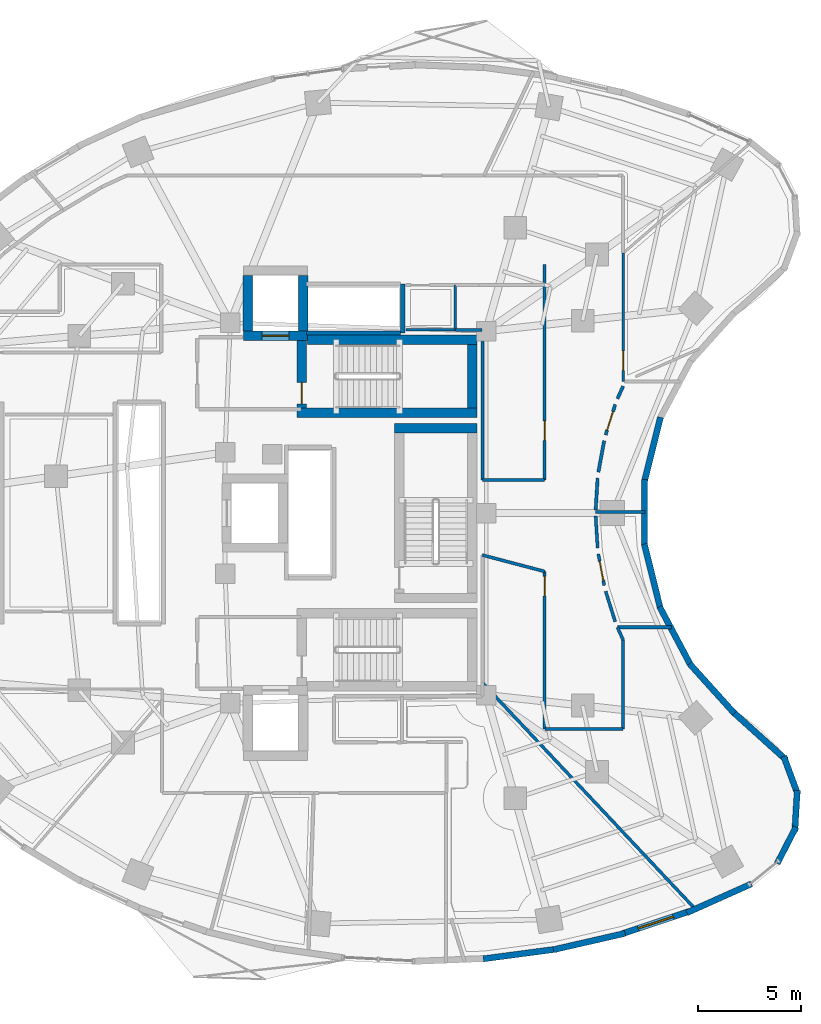
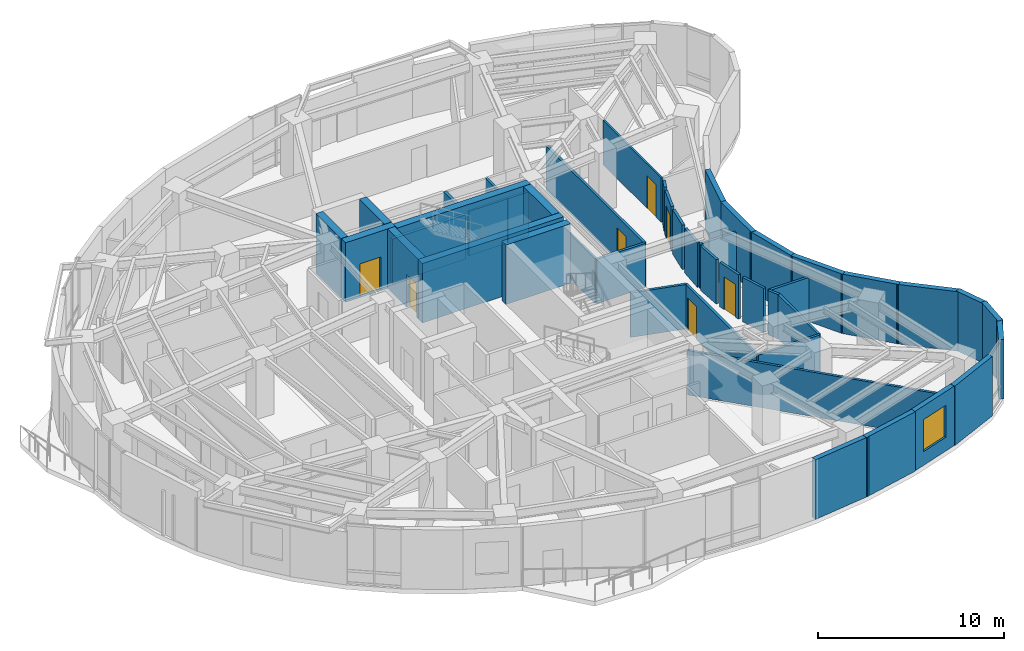
# One storey, part 10 of 15: 45 walls, 7 doors, 1 window, 8 openings.
"""IFC4 building model written with IfcOpenShell, lengths in metres."""

from ifc_helpers import new_model, si_unit, direction, frame, frame_2d, origin, place, context, subcontext, project, spatial, rectangle, extrude, material, layer, layer_set, type_object, element, fill, save


model = new_model("IFC4")

# Units and contexts
model_context = context("Model", 3, precision=1e-05, world=origin(), true_north=direction((0.0, 1.0)))
body_context = subcontext(model_context, "Body", "Model", "MODEL_VIEW")
ifc_project = project(units=[si_unit("LENGTHUNIT", "METRE"), si_unit("AREAUNIT", "SQUARE_METRE"), si_unit("VOLUMEUNIT", "CUBIC_METRE"), si_unit("PLANEANGLEUNIT", "RADIAN"), si_unit("MASSUNIT", "GRAM", prefix="KILO")], contexts=[model_context])

# Site, building, storey
site_placement = place(None, origin())
site = spatial("IfcSite", under=ifc_project, at=site_placement, CompositionType="ELEMENT")
building_placement = place(site_placement, origin())
building = spatial("IfcBuilding", under=site, at=building_placement, Name="Korentha Bioscience Tower", CompositionType="ELEMENT")
storey_placement = place(building_placement, frame((0.0, 0.0, 111.0)))
storey = spatial("IfcBuildingStorey", under=building, at=storey_placement, Name="L25", CompositionType="ELEMENT", Elevation=111.0)

# Wall, opening, door
ifc_material_1 = material(Name="Double-Stud Acoustic Gypsum", Category="gypsum")
ifc_layer_1 = layer(ifc_material_1, 0.14990234375, Name="Double-Stud Acoustic Gypsum")
ifc_layer_set_1 = layer_set([ifc_layer_1], Name="Double-Stud Acoustic Gypsum (IW-L150)")
wall_type_1 = type_object("IfcWallType", Name="Acoustic Laboratory Partition Wall 150", PredefinedType="PARTITIONING", material=ifc_layer_set_1)
wall_1_placement = place(storey_placement, frame((40.389892578125, 24.16064453125, 0.0), z_axis=(0.0, 0.0, 1.0), x_axis=(0.0, -1.0, 0.0)))
wall_1 = element("IfcWall", 1, at=wall_1_placement, inside=storey, type_object=wall_type_1, Name="L25 Mass-Spectrometry Analytical Suite 06 Entrance Wall", PredefinedType="PARTITIONING", context=body_context, shape_type="SweptSolid", body=[
    extrude(rectangle(XDim=7.66064453125, YDim=0.14990234375, at=frame_2d((3.830322265625, 0.0))), origin(), (0.0, 0.0, 1.0), 2.909912109375),
])
opening_1_placement = place(wall_1_placement, frame((0.239990234375, 0.0, 0.0)))
opening_1 = element("IfcOpeningElement", 2, at=opening_1_placement, cuts=wall_1, Name="Opening ID-10L", PredefinedType="OPENING", context=body_context, shape_type="SweptSolid", body=[
    extrude(rectangle(XDim=0.949951171875, YDim=2.14990234375, at=frame_2d((0.47509765625, 1.074951171875))), frame((0.0, 0.08984375, 0.0), z_axis=(0.0, -1.0, 0.0), x_axis=(1.0, 0.0, 0.0)), (0.0, 0.0, 1.0), 0.1796875),
])
ifc_material_2 = material(Name="Phenolic Laminate Timber Core", Category="wood")
door_type_1 = type_object("IfcDoorType", Name="Laboratory Single Leaf Door 950x2150 Left", OperationType="SINGLE_SWING_LEFT", PredefinedType="DOOR", material=ifc_material_2)
door_1_placement = place(opening_1_placement, origin())
door_1 = element("IfcDoor", 3, at=door_1_placement, inside=storey, type_object=door_type_1, Name="L25 Mass-Spectrometry Analytical Suite 06 Door", OperationType="SINGLE_SWING_LEFT", OverallHeight=2.14990234375, OverallWidth=0.949951171875, PredefinedType="DOOR", context=body_context, shape_type="SweptSolid", body=[
    extrude(rectangle(XDim=0.949951171875, YDim=2.14990234375, at=frame_2d((0.47509765625, 1.074951171875))), frame((0.0, 0.02490234375, 0.0), z_axis=(0.0, -1.0, 0.0), x_axis=(1.0, 0.0, 0.0)), (0.0, 0.0, 1.0), 0.050048828125),
])
fill(opening_1, door_1)

wall_2_placement = place(storey_placement, frame((43.285888671875, 23.484619140625, 0.0), z_axis=(0.0, 0.0, 1.0), x_axis=(-0.182168192784, 0.983267384559, 0.0)))
wall_2 = element("IfcWall", 4, at=wall_2_placement, inside=storey, type_object=wall_type_1, Name="L25 HPLC Chromatography Room 07 Entrance Wall", PredefinedType="PARTITIONING", context=body_context, shape_type="SweptSolid", body=[
    extrude(rectangle(XDim=1.550537109375, YDim=0.14990234375, at=frame_2d((0.775390625, 0.0))), origin(), (0.0, 0.0, 1.0), 2.909912109375),
])
opening_2_placement = place(wall_2_placement, frame((0.239990234375, 0.0, 0.0)))
opening_2 = element("IfcOpeningElement", 5, at=opening_2_placement, cuts=wall_2, Name="Opening ID-10R", PredefinedType="OPENING", context=body_context, shape_type="SweptSolid", body=[
    extrude(rectangle(XDim=0.949951171875, YDim=2.14990234375, at=frame_2d((0.47509765625, 1.074951171875))), frame((0.0, 0.08984375, 0.0), z_axis=(0.0, -1.0, 0.0), x_axis=(1.0, 0.0, 0.0)), (0.0, 0.0, 1.0), 0.1796875),
])
door_type_2 = type_object("IfcDoorType", Name="Laboratory Single Leaf Door 950x2150 Right", OperationType="SINGLE_SWING_RIGHT", PredefinedType="DOOR", material=ifc_material_2)
door_2_placement = place(opening_2_placement, origin())
door_2 = element("IfcDoor", 6, at=door_2_placement, inside=storey, type_object=door_type_2, Name="L25 HPLC Chromatography Room 07 Door", OperationType="SINGLE_SWING_RIGHT", OverallHeight=2.14990234375, OverallWidth=0.949951171875, PredefinedType="DOOR", context=body_context, shape_type="SweptSolid", body=[
    extrude(rectangle(XDim=0.949951171875, YDim=2.14990234375, at=frame_2d((0.47509765625, 1.074951171875))), frame((0.0, 0.02490234375, 0.0), z_axis=(0.0, -1.0, 0.0), x_axis=(1.0, 0.0, 0.0)), (0.0, 0.0, 1.0), 0.050048828125),
])
fill(opening_2, door_2)

wall_3_placement = place(storey_placement, frame((40.389892578125, 39.090087890625, 0.0), z_axis=(0.0, 0.0, 1.0), x_axis=(0.0, -1.0, 0.0)))
wall_3 = element("IfcWall", 7, at=wall_3_placement, inside=storey, type_object=wall_type_1, Name="L25 Postdoctoral Fellows' Quiet Study 10 Entrance Wall", PredefinedType="PARTITIONING", context=body_context, shape_type="SweptSolid", body=[
    extrude(rectangle(XDim=10.47998046875, YDim=0.14990234375, at=frame_2d((5.239990234375, 0.0))), origin(), (0.0, 0.0, 1.0), 2.909912109375),
])
opening_3_placement = place(wall_3_placement, frame((7.603759765625, 0.0, 0.0)))
opening_3 = element("IfcOpeningElement", 8, at=opening_3_placement, cuts=wall_3, Name="Opening ID-10L", PredefinedType="OPENING", context=body_context, shape_type="SweptSolid", body=[
    extrude(rectangle(XDim=0.949951171875, YDim=2.14990234375, at=frame_2d((0.47509765625, 1.074951171875))), frame((0.0, 0.08984375, 0.0), z_axis=(0.0, -1.0, 0.0), x_axis=(1.0, 0.0, 0.0)), (0.0, 0.0, 1.0), 0.1796875),
])
door_3_placement = place(opening_3_placement, origin())
door_3 = element("IfcDoor", 9, at=door_3_placement, inside=storey, type_object=door_type_1, Name="L25 Postdoctoral Fellows' Quiet Study 10 Door", OperationType="SINGLE_SWING_LEFT", OverallHeight=2.14990234375, OverallWidth=0.949951171875, PredefinedType="DOOR", context=body_context, shape_type="SweptSolid", body=[
    extrude(rectangle(XDim=0.949951171875, YDim=2.14990234375, at=frame_2d((0.47509765625, 1.074951171875))), frame((0.0, 0.02490234375, 0.0), z_axis=(0.0, -1.0, 0.0), x_axis=(1.0, 0.0, 0.0)), (0.0, 0.0, 1.0), 0.050048828125),
])
fill(opening_3, door_3)

# Walls
wall_4_placement = place(storey_placement, frame((37.360107421875, 18.754150390625, 0.0), z_axis=(0.0, 0.0, 1.0), x_axis=(0.685084120628, -0.72846396456, 0.0)))
element("IfcWall", 10, at=wall_4_placement, inside=storey, type_object=wall_type_1, Name="L25 Interior Partition 041", PredefinedType="PARTITIONING", context=body_context, shape_type="SweptSolid", body=[
    extrude(rectangle(XDim=15.229248046875, YDim=0.14990234375, at=frame_2d((7.61474609375, 0.0))), origin(), (0.0, 0.0, 1.0), 2.909912109375),
])
wall_5_placement = place(storey_placement, frame((40.39990234375, 16.489990234375, 0.0), z_axis=(0.0, 0.0, 1.0), x_axis=(1.0, 0.0, 0.0)))
element("IfcWall", 11, at=wall_5_placement, inside=storey, type_object=wall_type_1, Name="L25 Interior Partition 042", PredefinedType="PARTITIONING", context=body_context, shape_type="SweptSolid", body=[
    extrude(rectangle(XDim=3.800048828125, YDim=0.14990234375, at=frame_2d((1.89990234375, 0.0))), origin(), (0.0, 0.0, 1.0), 2.909912109375),
])
wall_6_placement = place(storey_placement, frame((44.2099609375, 16.5, 0.0), z_axis=(0.0, 0.0, 1.0), x_axis=(0.0, 1.0, 0.0)))
element("IfcWall", 12, at=wall_6_placement, inside=storey, type_object=wall_type_1, Name="L25 Interior Partition 043", PredefinedType="PARTITIONING", context=body_context, shape_type="SweptSolid", body=[
    extrude(rectangle(XDim=4.324951171875, YDim=0.14990234375, at=frame_2d((2.16259765625, 0.0))), origin(), (0.0, 0.0, 1.0), 2.909912109375),
])
wall_7_placement = place(storey_placement, frame((44.208984375, 20.8291015625, 0.0), z_axis=(0.0, 0.0, 1.0), x_axis=(-0.414377467152, 0.910105111905, 0.0)))
element("IfcWall", 13, at=wall_7_placement, inside=storey, type_object=wall_type_1, Name="L25 Interior Partition 044", PredefinedType="PARTITIONING", context=body_context, shape_type="SweptSolid", body=[
    extrude(rectangle(XDim=0.67236328125, YDim=0.14990234375, at=frame_2d((0.336181640625, 0.0))), origin(), (0.0, 0.0, 1.0), 2.909912109375),
])
wall_8_placement = place(storey_placement, frame((43.927490234375, 21.447998046875, 0.0), z_axis=(0.0, 0.0, 1.0), x_axis=(1.0, 0.0, 0.0)))
element("IfcWall", 14, at=wall_8_placement, inside=storey, type_object=wall_type_1, Name="L25 Interior Partition 045", PredefinedType="PARTITIONING", context=body_context, shape_type="SweptSolid", body=[
    extrude(rectangle(XDim=2.621337890625, YDim=0.14990234375, at=frame_2d((1.310546875, 0.0))), origin(), (0.0, 0.0, 1.0), 2.909912109375),
])
wall_9_placement = place(storey_placement, frame((37.360107421875, 24.9580078125, 0.0), z_axis=(0.0, 0.0, 1.0), x_axis=(0.967070499487, -0.254508642331, 0.0)))
element("IfcWall", 15, at=wall_9_placement, inside=storey, type_object=wall_type_1, Name="L25 Interior Partition 047", PredefinedType="PARTITIONING", context=body_context, shape_type="SweptSolid", body=[
    extrude(rectangle(XDim=3.133056640625, YDim=0.14990234375, at=frame_2d((1.56640625, 0.0))), origin(), (0.0, 0.0, 1.0), 2.909912109375),
])
for number, where, z_axis, x_axis, name in (
    (16, (43.823974609375, 21.718017578125, 0.0), (0.0, 0.0, 1.0), (-0.300641414783, 0.953737248783, 0.0), "L25 Interior Partition 048"),
    (17, (42.96728515625, 25.303955078125, 0.0), (0.0, 0.0, 1.0), (-0.061103659378, 0.99813142562, 0.0), "L25 Interior Partition 049"),
):
    element("IfcWall", number, at=place(storey_placement, frame(where, z_axis=z_axis, x_axis=x_axis)), inside=storey, type_object=wall_type_1, Name=name, PredefinedType="PARTITIONING", context=body_context, shape_type="SweptSolid", body=[
        extrude(rectangle(XDim=1.55029296875, YDim=0.14990234375, at=frame_2d((0.775146484375, 0.0))), origin(), (0.0, 0.0, 1.0), 2.909912109375),
    ])
wall_10_placement = place(storey_placement, frame((42.869384765625, 27.048095703125, 0.0), z_axis=(0.0, 0.0, 1.0), x_axis=(1.0, 0.0, 0.0)))
element("IfcWall", 18, at=wall_10_placement, inside=storey, type_object=wall_type_1, Name="L25 Interior Partition 050", PredefinedType="PARTITIONING", context=body_context, shape_type="SweptSolid", body=[
    extrude(rectangle(XDim=2.4111328125, YDim=0.14990234375, at=frame_2d((1.20556640625, 0.0))), origin(), (0.0, 0.0, 1.0), 2.909912109375),
])
wall_11_placement = place(storey_placement, frame((40.389892578125, 28.610107421875, 0.0), z_axis=(0.0, 0.0, 1.0), x_axis=(-1.0, 0.0, 0.0)))
element("IfcWall", 19, at=wall_11_placement, inside=storey, type_object=wall_type_1, Name="L25 Interior Partition 060", PredefinedType="PARTITIONING", context=body_context, shape_type="SweptSolid", body=[
    extrude(rectangle(XDim=3.02978515625, YDim=0.14990234375, at=frame_2d((1.514892578125, 0.0))), origin(), (0.0, 0.0, 1.0), 2.909912109375),
])
wall_12_placement = place(storey_placement, frame((37.360107421875, 28.610107421875, 0.0), z_axis=(0.0, 0.0, 1.0), x_axis=(0.0, 1.0, 0.0)))
element("IfcWall", 20, at=wall_12_placement, inside=storey, type_object=wall_type_1, Name="L25 Interior Partition 061", PredefinedType="PARTITIONING", context=body_context, shape_type="SweptSolid", body=[
    extrude(rectangle(XDim=7.289794921875, YDim=0.14990234375, at=frame_2d((3.64501953125, 0.0))), origin(), (0.0, 0.0, 1.0), 2.909912109375),
])
wall_13_placement = place(storey_placement, frame((37.35009765625, 35.909912109375, 0.0), z_axis=(0.0, 0.0, 1.0), x_axis=(-1.0, 0.0, 0.0)))
element("IfcWall", 21, at=wall_13_placement, inside=storey, type_object=wall_type_1, Name="L25 Interior Partition 062", PredefinedType="PARTITIONING", context=body_context, shape_type="SweptSolid", body=[
    extrude(rectangle(XDim=1.2900390625, YDim=0.14990234375, at=frame_2d((0.64501953125, 0.0))), origin(), (0.0, 0.0, 1.0), 2.909912109375),
])

# Wall, opening, door
ifc_material_3 = material(Name="Fire-Rated Framed Glass", Category="glass")
ifc_layer_2 = layer(ifc_material_3, 0.110107421875, Name="Fire-Rated Framed Glass")
ifc_layer_set_2 = layer_set([ifc_layer_2], Name="Fire-Rated Framed Glass (IW-G110)")
wall_type_2 = type_object("IfcWallType", Name="Demountable Glazed Office Partition 110", PredefinedType="MOVABLE", material=ifc_layer_set_2)
wall_14_placement = place(storey_placement, frame((44.2099609375, 33.402099609375, 0.0), z_axis=(0.0, 0.0, 1.0), x_axis=(0.0, 1.0, 0.0)))
wall_14 = element("IfcWall", 22, at=wall_14_placement, inside=storey, type_object=wall_type_2, Name="L25 Computational Biology Open Studio 09 Entrance Wall", PredefinedType="MOVABLE", context=body_context, shape_type="SweptSolid", body=[
    extrude(rectangle(XDim=6.23779296875, YDim=0.110107421875, at=frame_2d((3.118896484375, 0.0))), origin(), (0.0, 0.0, 1.0), 2.909912109375),
])
opening_4_placement = place(wall_14_placement, frame((0.54248046875, 0.0, 0.0)))
opening_4 = element("IfcOpeningElement", 23, at=opening_4_placement, cuts=wall_14, Name="Opening ID-10R", PredefinedType="OPENING", context=body_context, shape_type="SweptSolid", body=[
    extrude(rectangle(XDim=0.949951171875, YDim=2.14990234375, at=frame_2d((0.47509765625, 1.074951171875))), frame((0.0, 0.06982421875, 0.0), z_axis=(0.0, -1.0, 0.0), x_axis=(1.0, 0.0, 0.0)), (0.0, 0.0, 1.0), 0.139892578125),
])
door_4_placement = place(opening_4_placement, origin())
door_4 = element("IfcDoor", 24, at=door_4_placement, inside=storey, type_object=door_type_2, Name="L25 Computational Biology Open Studio 09 Door", OperationType="SINGLE_SWING_RIGHT", OverallHeight=2.14990234375, OverallWidth=0.949951171875, PredefinedType="DOOR", context=body_context, shape_type="SweptSolid", body=[
    extrude(rectangle(XDim=0.949951171875, YDim=2.14990234375, at=frame_2d((0.47509765625, 1.074951171875))), frame((0.0, 0.02490234375, 0.0), z_axis=(0.0, -1.0, 0.0), x_axis=(1.0, 0.0, 0.0)), (0.0, 0.0, 1.0), 0.050048828125),
])
fill(opening_4, door_4)

ifc_material_4 = material(Name="Gypsum-Clad Steel Stud", Category="steel")
ifc_layer_3 = layer(ifc_material_4, 0.159912109375, Name="Gypsum-Clad Steel Stud")
ifc_layer_set_3 = layer_set([ifc_layer_3], Name="Gypsum-Clad Steel Stud (IW-C160)")
wall_type_3 = type_object("IfcWallType", Name="Fire-Rated Corridor Partition Wall 160", PredefinedType="PARTITIONING", material=ifc_layer_set_3)
wall_15_placement = place(storey_placement, frame((43.35791015625, 30.803466796875, 0.0), z_axis=(0.0, 0.0, 1.0), x_axis=(0.300641414783, 0.953737248783, 0.0)))
wall_15 = element("IfcWall", 25, at=wall_15_placement, inside=storey, type_object=wall_type_3, Name="L25 Solvent and Chemical Weighing Room 08 Entrance Wall", PredefinedType="PARTITIONING", context=body_context, shape_type="SweptSolid", body=[
    extrude(rectangle(XDim=1.55029296875, YDim=0.159912109375, at=frame_2d((0.775146484375, 0.0))), origin(), (0.0, 0.0, 1.0), 2.909912109375),
])
opening_5_placement = place(wall_15_placement, frame((0.239990234375, 0.0, 0.0)))
opening_5 = element("IfcOpeningElement", 26, at=opening_5_placement, cuts=wall_15, Name="Opening ID-10L", PredefinedType="OPENING", context=body_context, shape_type="SweptSolid", body=[
    extrude(rectangle(XDim=0.949951171875, YDim=2.14990234375, at=frame_2d((0.47509765625, 1.074951171875))), frame((0.0, 0.0947265625, 0.0), z_axis=(0.0, -1.0, 0.0), x_axis=(1.0, 0.0, 0.0)), (0.0, 0.0, 1.0), 0.189697265625),
])
door_5_placement = place(opening_5_placement, origin())
door_5 = element("IfcDoor", 27, at=door_5_placement, inside=storey, type_object=door_type_1, Name="L25 Solvent and Chemical Weighing Room 08 Door", OperationType="SINGLE_SWING_LEFT", OverallHeight=2.14990234375, OverallWidth=0.949951171875, PredefinedType="DOOR", context=body_context, shape_type="SweptSolid", body=[
    extrude(rectangle(XDim=0.949951171875, YDim=2.14990234375, at=frame_2d((0.47509765625, 1.074951171875))), frame((0.0, 0.02490234375, 0.0), z_axis=(0.0, -1.0, 0.0), x_axis=(1.0, 0.0, 0.0)), (0.0, 0.0, 1.0), 0.050048828125),
])
fill(opening_5, door_5)

# Walls
wall_16_placement = place(storey_placement, frame((42.87255859375, 27.148681640625, 0.0), z_axis=(0.0, 0.0, 1.0), x_axis=(0.061103659378, 0.99813142562, 0.0)))
element("IfcWall", 28, at=wall_16_placement, inside=storey, type_object=wall_type_3, Name="L25 Interior Partition 051", PredefinedType="PARTITIONING", context=body_context, shape_type="SweptSolid", body=[
    extrude(rectangle(XDim=1.55029296875, YDim=0.159912109375, at=frame_2d((0.775146484375, 0.0))), origin(), (0.0, 0.0, 1.0), 2.909912109375),
])
wall_17_placement = place(storey_placement, frame((43.00341796875, 28.99072265625, 0.0), z_axis=(0.0, 0.0, 1.0), x_axis=(0.182168192784, 0.983267384559, 0.0)))
element("IfcWall", 29, at=wall_17_placement, inside=storey, type_object=wall_type_3, Name="L25 Interior Partition 052", PredefinedType="PARTITIONING", context=body_context, shape_type="SweptSolid", body=[
    extrude(rectangle(XDim=1.550537109375, YDim=0.159912109375, at=frame_2d((0.775390625, 0.0))), origin(), (0.0, 0.0, 1.0), 2.909912109375),
])
wall_18_placement = place(storey_placement, frame((43.930419921875, 32.55908203125, 0.0), z_axis=(0.0, 0.0, 1.0), x_axis=(0.414377467152, 0.910105111905, 0.0)))
element("IfcWall", 30, at=wall_18_placement, inside=storey, type_object=wall_type_3, Name="L25 Interior Partition 053", PredefinedType="PARTITIONING", context=body_context, shape_type="SweptSolid", body=[
    extrude(rectangle(XDim=0.67236328125, YDim=0.159912109375, at=frame_2d((0.336181640625, 0.0))), origin(), (0.0, 0.0, 1.0), 2.909912109375),
])

# Wall, opening, window
ifc_material_5 = material(Name="Honed Limestone Precast Concrete C40", Category="masonry")
ifc_layer_4 = layer(ifc_material_5, 0.300048828125, Name="Honed Limestone Precast Concrete C40")
ifc_layer_set_4 = layer_set([ifc_layer_4], Name="Honed Limestone Precast Concrete C40 (EW-ST300)")
wall_type_4 = type_object("IfcWallType", Name="Honed Limestone Cavity Spandrel Wall 300", PredefinedType="STANDARD", material=ifc_layer_set_4)
wall_19_placement = place(storey_placement, frame((44.1474609375, 6.537841796875, 0.0), z_axis=(0.0, 0.0, 1.0), x_axis=(0.948949854506, 0.315426970364, 0.0)))
wall_19 = element("IfcWall", 31, at=wall_19_placement, inside=storey, type_object=wall_type_4, Name="L25 Honed Limestone Spandrel Wall 35", PredefinedType="STANDARD", context=body_context, shape_type="SweptSolid", body=[
    extrude(rectangle(XDim=3.47607421875, YDim=0.300048828125, at=frame_2d((1.738037109375, 0.0))), origin(), (0.0, 0.0, 1.0), 3.89990234375),
])
opening_6_placement = place(wall_19_placement, frame((0.838134765625, 0.0, 0.89990234375)))
opening_6 = element("IfcOpeningElement", 32, at=opening_6_placement, cuts=wall_19, Name="Opening WN-01", PredefinedType="OPENING", context=body_context, shape_type="SweptSolid", body=[
    extrude(rectangle(XDim=1.800048828125, YDim=2.10009765625, at=frame_2d((0.89990234375, 1.050048828125))), frame((0.0, 0.1650390625, 0.0), z_axis=(0.0, -1.0, 0.0), x_axis=(1.0, 0.0, 0.0)), (0.0, 0.0, 1.0), 0.329833984375),
])
ifc_material_6 = material(Name="Thermally Broken Aluminium Triple Glazing", Category="aluminium")
window_type = type_object("IfcWindowType", Name="Triple-Glazed Fixed Bioscience Window 1800x2100", PartitioningType="SINGLE_PANEL", PredefinedType="WINDOW", material=ifc_material_6)
window_placement = place(opening_6_placement, origin())
window = element("IfcWindow", 33, at=window_placement, inside=storey, type_object=window_type, Name="L25 Facade Window 35", OverallHeight=2.10009765625, OverallWidth=1.800048828125, PartitioningType="SINGLE_PANEL", PredefinedType="WINDOW", context=body_context, shape_type="SweptSolid", body=[
    extrude(rectangle(XDim=1.800048828125, YDim=2.10009765625, at=frame_2d((0.89990234375, 1.050048828125))), frame((0.0, 0.030029296875, 0.0), z_axis=(0.0, -1.0, 0.0), x_axis=(1.0, 0.0, 0.0)), (0.0, 0.0, 1.0), 0.06005859375),
])
fill(opening_6, window)

# Walls
wall_20_placement = place(storey_placement, frame((37.40234375, 5.319091796875, 0.0), z_axis=(0.0, 0.0, 1.0), x_axis=(0.991372969521, 0.131071107816, 0.0)))
element("IfcWall", 34, at=wall_20_placement, inside=storey, type_object=wall_type_4, Name="L25 Limestone Perimeter Closure Wall 33", PredefinedType="STANDARD", context=body_context, shape_type="SweptSolid", body=[
    extrude(rectangle(XDim=3.615478515625, YDim=0.300048828125, at=frame_2d((1.8076171875, 0.0))), origin(), (0.0, 0.0, 1.0), 3.89990234375),
])
wall_21_placement = place(storey_placement, frame((40.81640625, 5.76220703125, 0.0), z_axis=(0.0, 0.0, 1.0), x_axis=(0.974841550422, 0.222898971669, 0.0)))
element("IfcWall", 35, at=wall_21_placement, inside=storey, type_object=wall_type_4, Name="L25 Limestone Perimeter Closure Wall 34", PredefinedType="STANDARD", context=body_context, shape_type="SweptSolid", body=[
    extrude(rectangle(XDim=3.574951171875, YDim=0.300048828125, at=frame_2d((1.78759765625, 0.0))), origin(), (0.0, 0.0, 1.0), 3.89990234375),
])
wall_22_placement = place(storey_placement, frame((47.309326171875, 7.55859375, 0.0), z_axis=(0.0, 0.0, 1.0), x_axis=(0.912672725317, 0.408691199395, 0.0)))
element("IfcWall", 36, at=wall_22_placement, inside=storey, type_object=wall_type_4, Name="L25 Limestone Perimeter Closure Wall 36", PredefinedType="STANDARD", context=body_context, shape_type="SweptSolid", body=[
    extrude(rectangle(XDim=3.44091796875, YDim=0.300048828125, at=frame_2d((1.720458984375, 0.0))), origin(), (0.0, 0.0, 1.0), 3.89990234375),
])
for number, where, z_axis, x_axis, name in (
    (37, (51.701171875, 9.953125, 0.0), (0.0, 0.0, 1.0), (0.457596540329, 0.889159944149, 0.0), "L25 Limestone Perimeter Closure Wall 38"),
    (38, (52.55859375, 11.522705078125, 0.0), (0.0, 0.0, 1.0), (0.060255200356, 0.998183004679, 0.0), "L25 Limestone Perimeter Closure Wall 39"),
):
    element("IfcWall", number, at=place(storey_placement, frame(where, z_axis=z_axis, x_axis=x_axis)), inside=storey, type_object=wall_type_4, Name=name, PredefinedType="STANDARD", context=body_context, shape_type="SweptSolid", body=[
        extrude(rectangle(XDim=1.99755859375, YDim=0.300048828125, at=frame_2d((0.998779296875, 0.0))), origin(), (0.0, 0.0, 1.0), 3.89990234375),
    ])
wall_23_placement = place(storey_placement, frame((52.710205078125, 13.3046875, 0.0), z_axis=(0.0, 0.0, 1.0), x_axis=(-0.347370087337, 0.937728117539, 0.0)))
element("IfcWall", 39, at=wall_23_placement, inside=storey, type_object=wall_type_4, Name="L25 Limestone Perimeter Closure Wall 40", PredefinedType="STANDARD", context=body_context, shape_type="SweptSolid", body=[
    extrude(rectangle(XDim=1.997314453125, YDim=0.300048828125, at=frame_2d((0.99853515625, 0.0))), origin(), (0.0, 0.0, 1.0), 3.89990234375),
])
wall_24_placement = place(storey_placement, frame((52.14111328125, 14.993896484375, 0.0), z_axis=(0.0, 0.0, 1.0), x_axis=(-0.74255963233, 0.669779958221, 0.0)))
element("IfcWall", 40, at=wall_24_placement, inside=storey, type_object=wall_type_4, Name="L25 Limestone Perimeter Closure Wall 41", PredefinedType="STANDARD", context=body_context, shape_type="SweptSolid", body=[
    extrude(rectangle(XDim=3.5390625, YDim=0.300048828125, at=frame_2d((1.76953125, 0.0))), origin(), (0.0, 0.0, 1.0), 3.89990234375),
])
wall_25_placement = place(storey_placement, frame((49.61572265625, 17.26171875, 0.0), z_axis=(0.0, 0.0, 1.0), x_axis=(-0.669167727967, 0.743111399353, 0.0)))
element("IfcWall", 41, at=wall_25_placement, inside=storey, type_object=wall_type_4, Name="L25 Limestone Perimeter Closure Wall 43", PredefinedType="STANDARD", context=body_context, shape_type="SweptSolid", body=[
    extrude(rectangle(XDim=3.25537109375, YDim=0.300048828125, at=frame_2d((1.627685546875, 0.0))), origin(), (0.0, 0.0, 1.0), 3.89990234375),
])
wall_26_placement = place(storey_placement, frame((47.5087890625, 19.578857421875, 0.0), z_axis=(0.0, 0.0, 1.0), x_axis=(-0.469451284634, 0.882958374645, 0.0)))
element("IfcWall", 42, at=wall_26_placement, inside=storey, type_object=wall_type_4, Name="L25 Limestone Perimeter Closure Wall 45", PredefinedType="STANDARD", context=body_context, shape_type="SweptSolid", body=[
    extrude(rectangle(XDim=3.255615234375, YDim=0.300048828125, at=frame_2d((1.6279296875, 0.0))), origin(), (0.0, 0.0, 1.0), 3.89990234375),
])
wall_27_placement = place(storey_placement, frame((46.025146484375, 22.3369140625, 0.0), z_axis=(0.0, 0.0, 1.0), x_axis=(-0.241900409149, 0.970301083197, 0.0)))
element("IfcWall", 43, at=wall_27_placement, inside=storey, type_object=wall_type_4, Name="L25 Limestone Perimeter Closure Wall 47", PredefinedType="STANDARD", context=body_context, shape_type="SweptSolid", body=[
    extrude(rectangle(XDim=3.255859375, YDim=0.300048828125, at=frame_2d((1.6279296875, 0.0))), origin(), (0.0, 0.0, 1.0), 3.89990234375),
])
wall_28_placement = place(storey_placement, frame((45.252685546875, 25.372314453125, 0.0), z_axis=(0.0, 0.0, 1.0), x_axis=(0.0, 1.0, 0.0)))
element("IfcWall", 44, at=wall_28_placement, inside=storey, type_object=wall_type_4, Name="L25 Limestone Perimeter Closure Wall 49", PredefinedType="STANDARD", context=body_context, shape_type="SweptSolid", body=[
    extrude(rectangle(XDim=3.25537109375, YDim=0.300048828125, at=frame_2d((1.627685546875, 0.0))), origin(), (0.0, 0.0, 1.0), 3.89990234375),
])
wall_29_placement = place(storey_placement, frame((45.237548828125, 28.50390625, 0.0), z_axis=(0.0, 0.0, 1.0), x_axis=(0.241900409149, 0.970301083197, 0.0)))
element("IfcWall", 45, at=wall_29_placement, inside=storey, type_object=wall_type_4, Name="L25 Limestone Perimeter Closure Wall 51", PredefinedType="STANDARD", context=body_context, shape_type="SweptSolid", body=[
    extrude(rectangle(XDim=3.255859375, YDim=0.300048828125, at=frame_2d((1.6279296875, 0.0))), origin(), (0.0, 0.0, 1.0), 3.89990234375),
])
ifc_material_7 = material(Name="Autoclaved Aerated Concrete Block C25", Category="concrete")
ifc_layer_5 = layer(ifc_material_7, 0.199951171875, Name="Autoclaved Aerated Concrete Block C25")
ifc_layer_set_5 = layer_set([ifc_layer_5], Name="Autoclaved Aerated Concrete Block C25 (IW-S200)")
wall_type_5 = type_object("IfcWallType", Name="Lift and Riser Shaft Enclosure Wall 200", PredefinedType="PARTITIONING", material=ifc_layer_set_5)
wall_30_placement = place(storey_placement, frame((33.489990234375, 35.760009765625, 0.0), z_axis=(0.0, 0.0, 1.0), x_axis=(0.0, 1.0, 0.0)))
element("IfcWall", 46, at=wall_30_placement, inside=storey, type_object=wall_type_5, Name="L25 Lift Bank OBS Shaft Wall +X", PredefinedType="PARTITIONING", context=body_context, shape_type="SweptSolid", body=[
    extrude(rectangle(XDim=2.3798828125, YDim=0.199951171875, at=frame_2d((1.18994140625, 0.0))), origin(), (0.0, 0.0, 1.0), 2.909912109375),
])
wall_31_placement = place(storey_placement, frame((28.800048828125, 35.760009765625, 0.0), z_axis=(0.0, 0.0, 1.0), x_axis=(1.0, 0.0, 0.0)))
element("IfcWall", 47, at=wall_31_placement, inside=storey, type_object=wall_type_5, Name="L25 Lift Bank OBS Shaft Wall -Y", PredefinedType="PARTITIONING", context=body_context, shape_type="SweptSolid", body=[
    extrude(rectangle(XDim=4.570068359375, YDim=0.199951171875, at=frame_2d((2.28515625, 0.0))), origin(), (0.0, 0.0, 1.0), 2.909912109375),
])
ifc_material_8 = material(Name="Concrete C80", Category="concrete")
ifc_layer_6 = layer(ifc_material_8, 0.449951171875, Name="Concrete C80")
ifc_layer_set_6 = layer_set([ifc_layer_6], Name="Concrete C80 (CW-C80)")
wall_type_6 = type_object("IfcWallType", Name="Lower Core Shear Wall 450", PredefinedType="SHEAR", material=ifc_layer_set_6)
wall_32_placement = place(storey_placement, frame((28.85205078125, 35.425048828125, 0.0), z_axis=(0.0, 0.0, 1.0), x_axis=(1.0, 0.0, 0.0)))
element("IfcWall", 48, at=wall_32_placement, inside=storey, type_object=wall_type_6, Name="L25 Core Shear Wall ST1-N", PredefinedType="SHEAR", context=body_context, shape_type="SweptSolid", body=[
    extrude(rectangle(XDim=8.248046875, YDim=0.449951171875, at=frame_2d((4.1240234375, 0.0))), origin(), (0.0, 0.0, 1.0), 3.89990234375),
])
wall_33_placement = place(storey_placement, frame((28.35009765625, 31.875, 0.0), z_axis=(0.0, 0.0, 1.0), x_axis=(1.0, 0.0, 0.0)))
element("IfcWall", 49, at=wall_33_placement, inside=storey, type_object=wall_type_6, Name="L25 Core Shear Wall ST1-S", PredefinedType="SHEAR", context=body_context, shape_type="SweptSolid", body=[
    extrude(rectangle(XDim=8.75, YDim=0.449951171875, at=frame_2d((4.375, 0.0))), origin(), (0.0, 0.0, 1.0), 3.89990234375),
])
wall_34_placement = place(storey_placement, frame((36.875, 32.110107421875, 0.0), z_axis=(0.0, 0.0, 1.0), x_axis=(0.0, 1.0, 0.0)))
element("IfcWall", 50, at=wall_34_placement, inside=storey, type_object=wall_type_6, Name="L25 Core Shear Wall ST1-E", PredefinedType="SHEAR", context=body_context, shape_type="SweptSolid", body=[
    extrude(rectangle(XDim=3.079833984375, YDim=0.449951171875, at=frame_2d((1.5400390625, 0.0))), origin(), (0.0, 0.0, 1.0), 3.89990234375),
])

# Wall, opening, door
wall_35_placement = place(storey_placement, frame((28.574951171875, 32.110107421875, 0.0), z_axis=(0.0, 0.0, 1.0), x_axis=(0.0, 1.0, 0.0)))
wall_35 = element("IfcWall", 51, at=wall_35_placement, inside=storey, type_object=wall_type_6, Name="L25 Core Shear Wall ST1-W", PredefinedType="SHEAR", context=body_context, shape_type="SweptSolid", body=[
    extrude(rectangle(XDim=3.282958984375, YDim=0.449951171875, at=frame_2d((1.6416015625, 0.0))), origin(), (0.0, 0.0, 1.0), 3.89990234375),
])
opening_7_placement = place(wall_35_placement, frame((0.199951171875, 0.0, 0.0)))
opening_7 = element("IfcOpeningElement", 52, at=opening_7_placement, cuts=wall_35, Name="Opening FD-90R", PredefinedType="OPENING", context=body_context, shape_type="SweptSolid", body=[
    extrude(rectangle(XDim=1.050048828125, YDim=2.14990234375, at=frame_2d((0.52490234375, 1.074951171875))), frame((0.0, 0.23974609375, 0.0), z_axis=(0.0, -1.0, 0.0), x_axis=(1.0, 0.0, 0.0)), (0.0, 0.0, 1.0), 0.479736328125),
])
ifc_material_9 = material(Name="Powder-Coated Fire-Rated Steel", Category="steel")
door_type_3 = type_object("IfcDoorType", Name="Stairwell Fire Exit Door 1050x2150 Right", OperationType="SINGLE_SWING_RIGHT", PredefinedType="DOOR", material=ifc_material_9)
door_6_placement = place(opening_7_placement, origin())
door_6 = element("IfcDoor", 53, at=door_6_placement, inside=storey, type_object=door_type_3, Name="L25 ST-1 Fire Exit Stair Door", OperationType="SINGLE_SWING_RIGHT", OverallHeight=2.14990234375, OverallWidth=1.050048828125, PredefinedType="DOOR", context=body_context, shape_type="SweptSolid", body=[
    extrude(rectangle(XDim=1.050048828125, YDim=2.14990234375, at=frame_2d((0.52490234375, 1.074951171875))), frame((0.0, 0.02490234375, 0.0), z_axis=(0.0, -1.0, 0.0), x_axis=(1.0, 0.0, 0.0)), (0.0, 0.0, 1.0), 0.050048828125),
])
fill(opening_7, door_6)

# Wall
wall_36_placement = place(storey_placement, frame((33.10009765625, 31.125, 0.0), z_axis=(0.0, 0.0, 1.0), x_axis=(1.0, 0.0, 0.0)))
element("IfcWall", 54, at=wall_36_placement, inside=storey, type_object=wall_type_6, Name="L25 Core Shear Wall ST3-N", PredefinedType="SHEAR", context=body_context, shape_type="SweptSolid", body=[
    extrude(rectangle(XDim=4.0, YDim=0.449951171875, at=frame_2d((2.0, 0.0))), origin(), (0.0, 0.0, 1.0), 3.89990234375),
])

# Wall, opening, door
wall_37_placement = place(storey_placement, frame((25.75, 35.6201171875, 0.0), z_axis=(0.0, 0.0, 1.0), x_axis=(1.0, 0.0, 0.0)))
wall_37 = element("IfcWall", 55, at=wall_37_placement, inside=storey, type_object=wall_type_6, Name="L25 Core Shear Wall FFL2-S", PredefinedType="SHEAR", context=body_context, shape_type="SweptSolid", body=[
    extrude(rectangle(XDim=3.10009765625, YDim=0.449951171875, at=frame_2d((1.550048828125, 0.0))), origin(), (0.0, 0.0, 1.0), 3.89990234375),
])
opening_8_placement = place(wall_37_placement, frame((0.89990234375, 0.0, 0.0)))
opening_8 = element("IfcOpeningElement", 56, at=opening_8_placement, cuts=wall_37, Name="Opening LD-13", PredefinedType="OPENING", context=body_context, shape_type="SweptSolid", body=[
    extrude(rectangle(XDim=1.300048828125, YDim=2.199951171875, at=frame_2d((0.64990234375, 1.10009765625))), frame((0.0, 0.23974609375, 0.0), z_axis=(0.0, -1.0, 0.0), x_axis=(1.0, 0.0, 0.0)), (0.0, 0.0, 1.0), 0.479736328125),
])
ifc_material_10 = material(Name="Brushed Stainless Steel 316", Category="steel")
door_type_4 = type_object("IfcDoorType", Name="Service & Firefighting Lift Landing Door 1300x2300", OperationType="DOUBLE_DOOR_SLIDING", PredefinedType="DOOR", material=ifc_material_10)
door_7_placement = place(opening_8_placement, origin())
door_7 = element("IfcDoor", 57, at=door_7_placement, inside=storey, type_object=door_type_4, Name="L25 FFL-2 Sliding Lift Landing Door", OperationType="DOUBLE_DOOR_SLIDING", OverallHeight=2.199951171875, OverallWidth=1.300048828125, PredefinedType="DOOR", context=body_context, shape_type="SweptSolid", body=[
    extrude(rectangle(XDim=1.300048828125, YDim=2.199951171875, at=frame_2d((0.64990234375, 1.10009765625))), frame((0.0, 0.02490234375, 0.0), z_axis=(0.0, -1.0, 0.0), x_axis=(1.0, 0.0, 0.0)), (0.0, 0.0, 1.0), 0.050048828125),
])
fill(opening_8, door_7)

# Walls
for number, where, z_axis, x_axis, name in (
    (58, (25.949951171875, 35.860107421875, 0.0), (0.0, 0.0, 1.0), (0.0, 1.0, 0.0), "L25 Core Shear Wall FFL2-W"),
    (59, (28.64990234375, 35.860107421875, 0.0), (0.0, 0.0, 1.0), (0.0, 1.0, 0.0), "L25 Core Shear Wall FFL2-E"),
):
    element("IfcWall", number, at=place(storey_placement, frame(where, z_axis=z_axis, x_axis=x_axis)), inside=storey, type_object=wall_type_6, Name=name, PredefinedType="SHEAR", context=body_context, shape_type="SweptSolid", body=[
        extrude(rectangle(XDim=2.699951171875, YDim=0.449951171875, at=frame_2d((1.35009765625, 0.0))), origin(), (0.0, 0.0, 1.0), 3.89990234375),
    ])
ifc_material_11 = material(Name="Cement-Board Steel Stud", Category="steel")
ifc_layer_7 = layer(ifc_material_11, 0.1298828125, Name="Cement-Board Steel Stud")
ifc_layer_set_7 = layer_set([ifc_layer_7], Name="Cement-Board Steel Stud (IW-W130)")
wall_type_7 = type_object("IfcWallType", Name="Wet-Area Moisture-Resistant Partition 130", PredefinedType="PARTITIONING", material=ifc_layer_set_7)
wall_38_placement = place(storey_placement, frame((36.050048828125, 35.909912109375, 0.0), z_axis=(0.0, 0.0, 1.0), x_axis=(-1.0, 0.0, 0.0)))
element("IfcWall", 60, at=wall_38_placement, inside=storey, type_object=wall_type_7, Name="L25 Interior Partition 021", PredefinedType="PARTITIONING", context=body_context, shape_type="SweptSolid", body=[
    extrude(rectangle(XDim=2.400146484375, YDim=0.1298828125, at=frame_2d((1.2001953125, 0.0))), origin(), (0.0, 0.0, 1.0), 2.909912109375),
])
wall_39_placement = place(storey_placement, frame((36.050048828125, 38.090087890625, 0.0), z_axis=(0.0, 0.0, 1.0), x_axis=(0.0, -1.0, 0.0)))
element("IfcWall", 61, at=wall_39_placement, inside=storey, type_object=wall_type_7, Name="L25 Interior Partition 022", PredefinedType="PARTITIONING", context=body_context, shape_type="SweptSolid", body=[
    extrude(rectangle(XDim=2.18017578125, YDim=0.1298828125, at=frame_2d((1.090087890625, 0.0))), origin(), (0.0, 0.0, 1.0), 2.909912109375),
])

save(model, "model.ifc")
